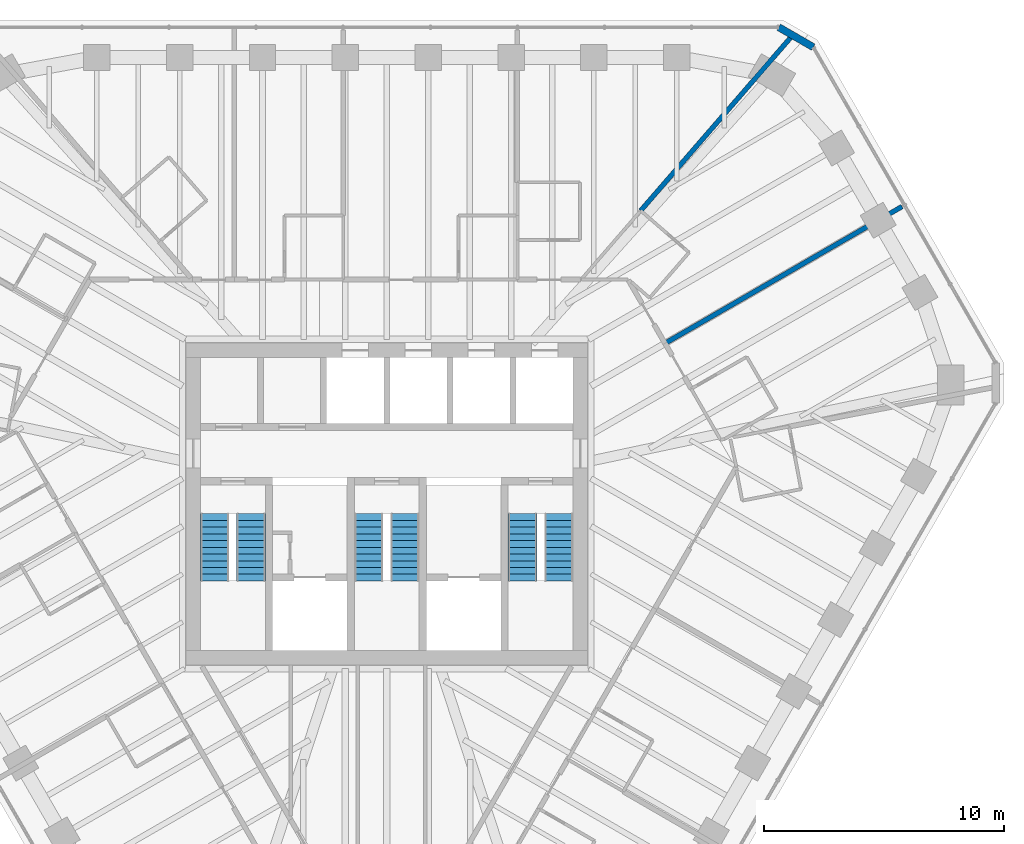
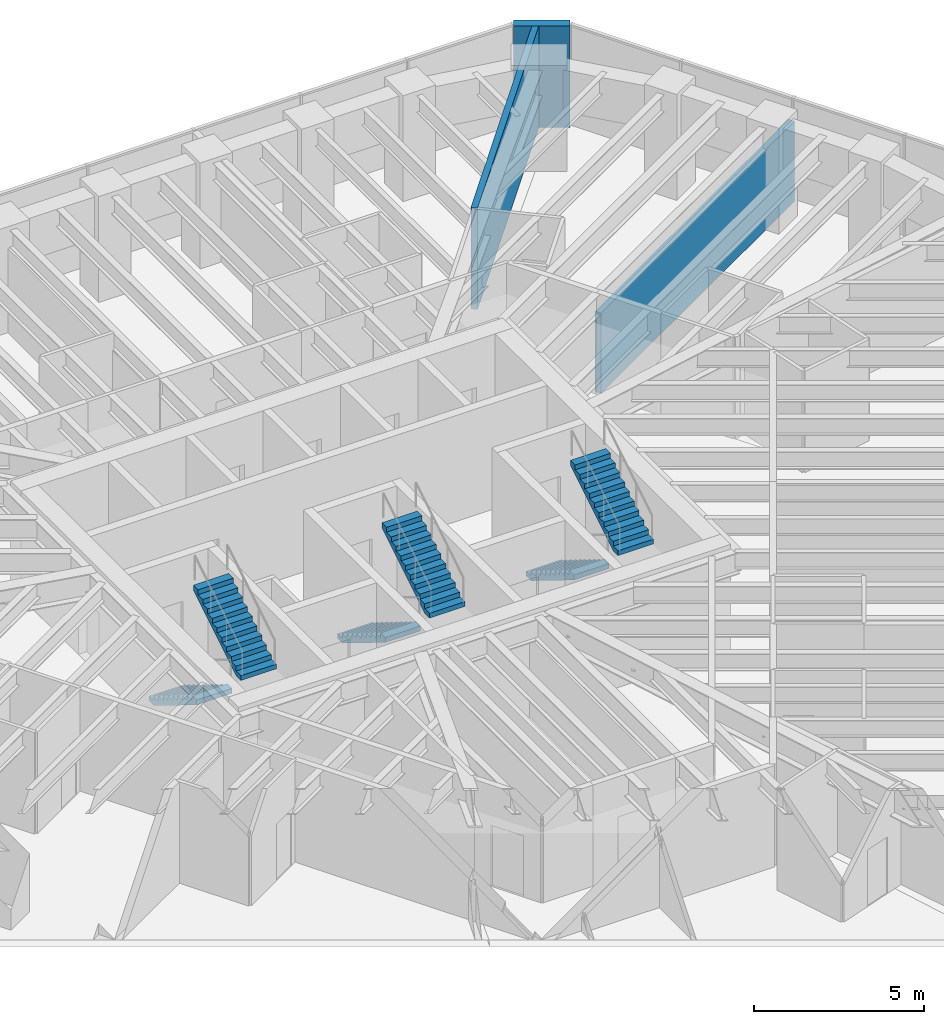
# One storey, part 13 of 14: 6 stair flights, 3 walls, 3 elements without a shape of their own.
"""IFC4 building model written with IfcOpenShell, lengths in metres."""

from ifc_helpers import new_model, si_unit, direction, frame, frame_2d, origin, place, context, subcontext, project, spatial, polyline, rectangle, outline, extrude, material, layer, layer_set, type_object, element, aggregate, save


model = new_model("IFC4")

# Units and contexts
model_context = context("Model", 3, precision=1e-05, world=origin(), true_north=direction((0.0, 1.0)))
body_context = subcontext(model_context, "Body", "Model", "MODEL_VIEW")
ifc_project = project(units=[si_unit("LENGTHUNIT", "METRE"), si_unit("AREAUNIT", "SQUARE_METRE"), si_unit("VOLUMEUNIT", "CUBIC_METRE"), si_unit("PLANEANGLEUNIT", "RADIAN"), si_unit("MASSUNIT", "GRAM", prefix="KILO")], contexts=[model_context])

# Site, building, storey
site_placement = place(None, origin())
site = spatial("IfcSite", under=ifc_project, at=site_placement, CompositionType="ELEMENT")
building_placement = place(site_placement, origin())
building = spatial("IfcBuilding", under=site, at=building_placement, Name="Sandreach Pilgrim Tower", CompositionType="ELEMENT")
storey_placement = place(building_placement, frame((0.0, 0.0, 279.800048828125)))
storey = spatial("IfcBuildingStorey", under=building, at=storey_placement, Name="L70", CompositionType="ELEMENT", Elevation=279.800048828125)

# Walls
ifc_material_1 = material(Name="Double steel stud acoustic wall, gypsum board", Category="steel")
ifc_layer_1 = layer(ifc_material_1, 0.199951171875)
ifc_layer_set_1 = layer_set([ifc_layer_1], Name="Party wall 200")
wall_type_1 = type_object("IfcWallType", Name="Party wall 200", PredefinedType="PARTITIONING", material=ifc_layer_set_1)
wall_1_placement = place(storey_placement, frame((10.56005859375, 12.199951171875, 0.0), z_axis=(0.0, 0.0, 1.0), x_axis=(0.654769010763, 0.7558290432, 0.0)))
element("IfcWall", 1, at=wall_1_placement, inside=storey, type_object=wall_type_1, Name="Party wall L70-100", PredefinedType="PARTITIONING", context=body_context, shape_type="SweptSolid", body=[
    extrude(rectangle(XDim=9.66796875, YDim=0.199951171875, at=frame_2d((4.833984375, 0.0))), origin(), (0.0, 0.0, 1.0), 3.639892578125),
])
wall_2_placement = place(storey_placement, frame((21.426025390625, 12.3701171875, 0.0), z_axis=(0.0, 0.0, 1.0), x_axis=(-0.866034991525, -0.499983393178, 0.0)))
element("IfcWall", 2, at=wall_2_placement, inside=storey, type_object=wall_type_1, Name="Party wall L70-119", PredefinedType="PARTITIONING", context=body_context, shape_type="SweptSolid", body=[
    extrude(rectangle(XDim=11.36572265625, YDim=0.199951171875, at=frame_2d((5.682861328125, 0.0))), origin(), (0.0, 0.0, 1.0), 2.8779296875),
])
ifc_material_2 = material(Name="Terracotta rainscreen on concrete", Category="masonry")
ifc_layer_2 = layer(ifc_material_2, 0.300048828125)
ifc_layer_set_2 = layer_set([ifc_layer_2], Name="Terracotta chamfer pier")
wall_type_2 = type_object("IfcWallType", Name="Terracotta chamfer pier", PredefinedType="SOLIDWALL", material=ifc_layer_set_2)
wall_3_placement = place(storey_placement, frame((16.29833984375, 19.826416015625, 0.0), z_axis=(0.0, 0.0, 1.0), x_axis=(0.866026405774, -0.499998264499, 0.0)))
element("IfcWall", 3, at=wall_3_placement, inside=storey, type_object=wall_type_2, Name="Chamfer pier L70 N", PredefinedType="SOLIDWALL", context=body_context, shape_type="SweptSolid", body=[
    extrude(rectangle(XDim=1.66015625, YDim=0.300048828125, at=frame_2d((0.830078125, 0.0))), origin(), (0.0, 0.0, 1.0), 3.639892578125),
])

# Stair, stair flights
ifc_material_3 = material(Name="Concrete 8000 psi", Category="concrete")
stair_type = type_object("IfcStairType", Name="Core exit stair", PredefinedType="HALF_TURN_STAIR", material=ifc_material_3)
stair_1_placement = place(storey_placement, origin())
stair_1 = element("IfcStair", 4, at=stair_1_placement, inside=storey, type_object=stair_type, Name="Exit stair ST1 L70", PredefinedType="HALF_TURN_STAIR")
ifc_material_4 = material(Name="Concrete 8000 psi", Category="concrete")
stair_flight_type = type_object("IfcStairFlightType", Name="Core stair flight 1200", PredefinedType="STRAIGHT", material=ifc_material_4)
stair_flight_1_placement = place(storey_placement, frame((-7.14990234375, -0.39990234375, 0.0), z_axis=(0.0, 0.0, 1.0), x_axis=(0.0, -1.0, 0.0)))
stair_flight_1 = element("IfcStairFlight", 5, at=stair_flight_1_placement, type_object=stair_flight_type, Name="ST1 flight 1", NumberOfRisers=11, NumberOfTreads=10, PredefinedType="STRAIGHT", RiserHeight=0.172727273, TreadLength=0.28, context=body_context, shape_type="SweptSolid", body=[
    extrude(outline(polyline([(0.0, 0.0), (0.0, 0.172607421875), (0.280029296875, 0.172607421875), (0.280029296875, 0.345458984375), (0.56005859375, 0.345458984375), (0.56005859375, 0.51806640625), (0.840087890625, 0.51806640625), (0.840087890625, 0.69091796875), (1.1201171875, 0.69091796875), (1.1201171875, 0.863525390625), (1.39990234375, 0.863525390625), (1.39990234375, 1.036376953125), (1.679931640625, 1.036376953125), (1.679931640625, 1.208984375), (1.9599609375, 1.208984375), (1.9599609375, 1.3818359375), (2.239990234375, 1.3818359375), (2.239990234375, 1.554443359375), (2.52001953125, 1.554443359375), (2.52001953125, 1.727294921875), (2.800048828125, 1.727294921875), (2.800048828125, 1.89990234375), (2.800048828125, 1.551025390625), (0.285400390625, 0.0), (0.0, 0.0)])), frame((0.0, 0.60009765625, 0.0), z_axis=(0.0, -1.0, 0.0), x_axis=(1.0, 0.0, 0.0)), (0.0, 0.0, 1.0), 1.199951171875),
])
stair_flight_2_placement = place(storey_placement, frame((-5.64990234375, -3.199951171875, 1.89990234375), z_axis=(0.0, 0.0, 1.0), x_axis=(0.0, 1.0, 0.0)))
stair_flight_2 = element("IfcStairFlight", 6, at=stair_flight_2_placement, type_object=stair_flight_type, Name="ST1 flight 2", NumberOfRisers=11, NumberOfTreads=10, PredefinedType="STRAIGHT", RiserHeight=0.172727273, TreadLength=0.28, context=body_context, shape_type="SweptSolid", body=[
    extrude(outline(polyline([(0.0, 0.0), (0.0, 0.172607421875), (0.280029296875, 0.172607421875), (0.280029296875, 0.345458984375), (0.56005859375, 0.345458984375), (0.56005859375, 0.51806640625), (0.840087890625, 0.51806640625), (0.840087890625, 0.69091796875), (1.1201171875, 0.69091796875), (1.1201171875, 0.863525390625), (1.39990234375, 0.863525390625), (1.39990234375, 1.036376953125), (1.679931640625, 1.036376953125), (1.679931640625, 1.208984375), (1.9599609375, 1.208984375), (1.9599609375, 1.3818359375), (2.239990234375, 1.3818359375), (2.239990234375, 1.554443359375), (2.52001953125, 1.554443359375), (2.52001953125, 1.727294921875), (2.800048828125, 1.727294921875), (2.800048828125, 1.89990234375), (2.800048828125, 1.551025390625), (0.285400390625, 0.0), (0.0, 0.0)])), frame((0.0, 0.60009765625, 0.0), z_axis=(0.0, -1.0, 0.0), x_axis=(1.0, 0.0, 0.0)), (0.0, 0.0, 1.0), 1.199951171875),
])
aggregate(stair_1, [stair_flight_1, stair_flight_2])

stair_2_placement = place(storey_placement, origin())
stair_2 = element("IfcStair", 7, at=stair_2_placement, inside=storey, type_object=stair_type, Name="Exit stair ST3 L70", PredefinedType="HALF_TURN_STAIR")
stair_flight_3_placement = place(storey_placement, frame((-0.75, -0.39990234375, 0.0), z_axis=(0.0, 0.0, 1.0), x_axis=(0.0, -1.0, 0.0)))
stair_flight_3 = element("IfcStairFlight", 8, at=stair_flight_3_placement, type_object=stair_flight_type, Name="ST3 flight 1", NumberOfRisers=11, NumberOfTreads=10, PredefinedType="STRAIGHT", RiserHeight=0.172727273, TreadLength=0.28, context=body_context, shape_type="SweptSolid", body=[
    extrude(outline(polyline([(0.0, 0.0), (0.0, 0.172607421875), (0.280029296875, 0.172607421875), (0.280029296875, 0.345458984375), (0.56005859375, 0.345458984375), (0.56005859375, 0.51806640625), (0.840087890625, 0.51806640625), (0.840087890625, 0.69091796875), (1.1201171875, 0.69091796875), (1.1201171875, 0.863525390625), (1.39990234375, 0.863525390625), (1.39990234375, 1.036376953125), (1.679931640625, 1.036376953125), (1.679931640625, 1.208984375), (1.9599609375, 1.208984375), (1.9599609375, 1.3818359375), (2.239990234375, 1.3818359375), (2.239990234375, 1.554443359375), (2.52001953125, 1.554443359375), (2.52001953125, 1.727294921875), (2.800048828125, 1.727294921875), (2.800048828125, 1.89990234375), (2.800048828125, 1.551025390625), (0.285400390625, 0.0), (0.0, 0.0)])), frame((0.0, 0.60009765625, 0.0), z_axis=(0.0, -1.0, 0.0), x_axis=(1.0, 0.0, 0.0)), (0.0, 0.0, 1.0), 1.199951171875),
])
stair_flight_4_placement = place(storey_placement, frame((0.75, -3.199951171875, 1.89990234375), z_axis=(0.0, 0.0, 1.0), x_axis=(0.0, 1.0, 0.0)))
stair_flight_4 = element("IfcStairFlight", 9, at=stair_flight_4_placement, type_object=stair_flight_type, Name="ST3 flight 2", NumberOfRisers=11, NumberOfTreads=10, PredefinedType="STRAIGHT", RiserHeight=0.172727273, TreadLength=0.28, context=body_context, shape_type="SweptSolid", body=[
    extrude(outline(polyline([(0.0, 0.0), (0.0, 0.172607421875), (0.280029296875, 0.172607421875), (0.280029296875, 0.345458984375), (0.56005859375, 0.345458984375), (0.56005859375, 0.51806640625), (0.840087890625, 0.51806640625), (0.840087890625, 0.69091796875), (1.1201171875, 0.69091796875), (1.1201171875, 0.863525390625), (1.39990234375, 0.863525390625), (1.39990234375, 1.036376953125), (1.679931640625, 1.036376953125), (1.679931640625, 1.208984375), (1.9599609375, 1.208984375), (1.9599609375, 1.3818359375), (2.239990234375, 1.3818359375), (2.239990234375, 1.554443359375), (2.52001953125, 1.554443359375), (2.52001953125, 1.727294921875), (2.800048828125, 1.727294921875), (2.800048828125, 1.89990234375), (2.800048828125, 1.551025390625), (0.285400390625, 0.0), (0.0, 0.0)])), frame((0.0, 0.60009765625, 0.0), z_axis=(0.0, -1.0, 0.0), x_axis=(1.0, 0.0, 0.0)), (0.0, 0.0, 1.0), 1.199951171875),
])
aggregate(stair_2, [stair_flight_3, stair_flight_4])

stair_3_placement = place(storey_placement, origin())
stair_3 = element("IfcStair", 10, at=stair_3_placement, inside=storey, type_object=stair_type, Name="Exit stair ST2 L70", PredefinedType="HALF_TURN_STAIR")
stair_flight_5_placement = place(storey_placement, frame((5.64990234375, -0.39990234375, 0.0), z_axis=(0.0, 0.0, 1.0), x_axis=(0.0, -1.0, 0.0)))
stair_flight_5 = element("IfcStairFlight", 11, at=stair_flight_5_placement, type_object=stair_flight_type, Name="ST2 flight 1", NumberOfRisers=11, NumberOfTreads=10, PredefinedType="STRAIGHT", RiserHeight=0.172727273, TreadLength=0.28, context=body_context, shape_type="SweptSolid", body=[
    extrude(outline(polyline([(0.0, 0.0), (0.0, 0.172607421875), (0.280029296875, 0.172607421875), (0.280029296875, 0.345458984375), (0.56005859375, 0.345458984375), (0.56005859375, 0.51806640625), (0.840087890625, 0.51806640625), (0.840087890625, 0.69091796875), (1.1201171875, 0.69091796875), (1.1201171875, 0.863525390625), (1.39990234375, 0.863525390625), (1.39990234375, 1.036376953125), (1.679931640625, 1.036376953125), (1.679931640625, 1.208984375), (1.9599609375, 1.208984375), (1.9599609375, 1.3818359375), (2.239990234375, 1.3818359375), (2.239990234375, 1.554443359375), (2.52001953125, 1.554443359375), (2.52001953125, 1.727294921875), (2.800048828125, 1.727294921875), (2.800048828125, 1.89990234375), (2.800048828125, 1.551025390625), (0.285400390625, 0.0), (0.0, 0.0)])), frame((0.0, 0.60009765625, 0.0), z_axis=(0.0, -1.0, 0.0), x_axis=(1.0, 0.0, 0.0)), (0.0, 0.0, 1.0), 1.199951171875),
])
stair_flight_6_placement = place(storey_placement, frame((7.14990234375, -3.199951171875, 1.89990234375), z_axis=(0.0, 0.0, 1.0), x_axis=(0.0, 1.0, 0.0)))
stair_flight_6 = element("IfcStairFlight", 12, at=stair_flight_6_placement, type_object=stair_flight_type, Name="ST2 flight 2", NumberOfRisers=11, NumberOfTreads=10, PredefinedType="STRAIGHT", RiserHeight=0.172727273, TreadLength=0.28, context=body_context, shape_type="SweptSolid", body=[
    extrude(outline(polyline([(0.0, 0.0), (0.0, 0.172607421875), (0.280029296875, 0.172607421875), (0.280029296875, 0.345458984375), (0.56005859375, 0.345458984375), (0.56005859375, 0.51806640625), (0.840087890625, 0.51806640625), (0.840087890625, 0.69091796875), (1.1201171875, 0.69091796875), (1.1201171875, 0.863525390625), (1.39990234375, 0.863525390625), (1.39990234375, 1.036376953125), (1.679931640625, 1.036376953125), (1.679931640625, 1.208984375), (1.9599609375, 1.208984375), (1.9599609375, 1.3818359375), (2.239990234375, 1.3818359375), (2.239990234375, 1.554443359375), (2.52001953125, 1.554443359375), (2.52001953125, 1.727294921875), (2.800048828125, 1.727294921875), (2.800048828125, 1.89990234375), (2.800048828125, 1.551025390625), (0.285400390625, 0.0), (0.0, 0.0)])), frame((0.0, 0.60009765625, 0.0), z_axis=(0.0, -1.0, 0.0), x_axis=(1.0, 0.0, 0.0)), (0.0, 0.0, 1.0), 1.199951171875),
])
aggregate(stair_3, [stair_flight_5, stair_flight_6])

save(model, "model.ifc")
